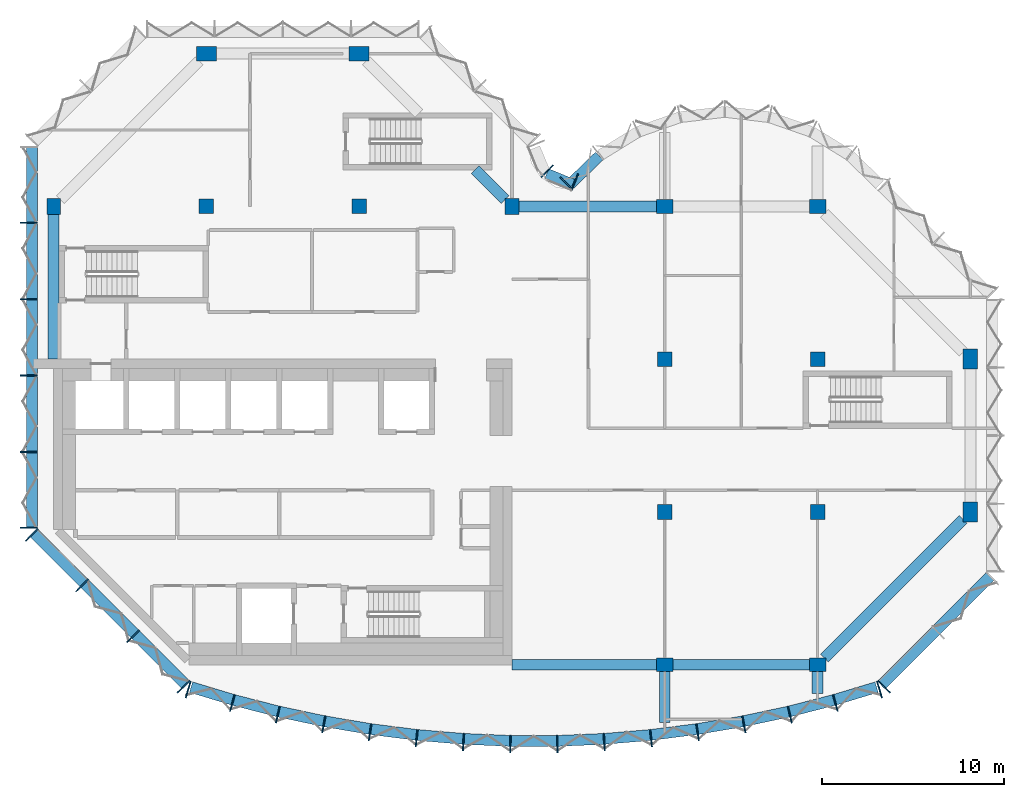
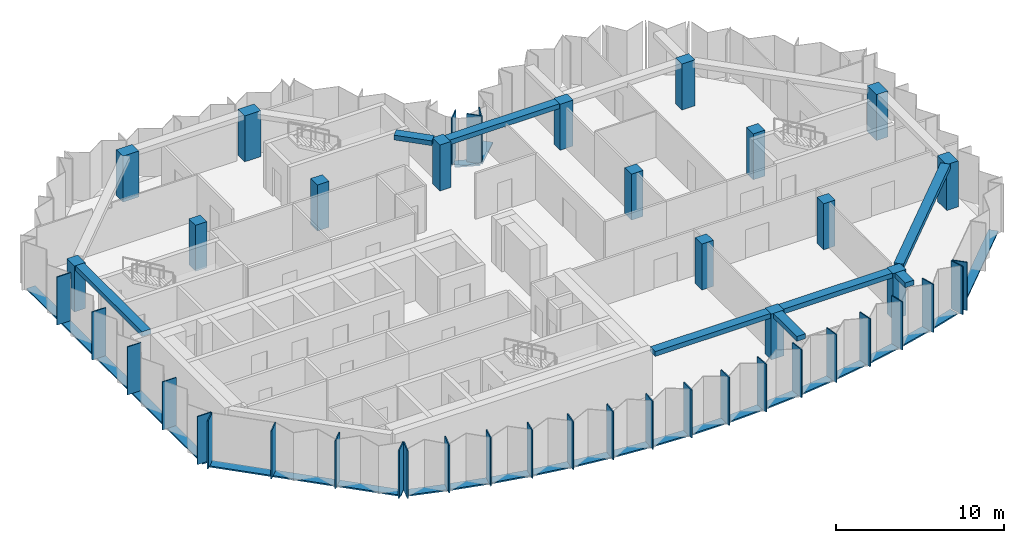
# One storey, part 1 of 10: 49 members, 16 columns, 8 beams, 6 elements without a shape of their own.
"""IFC4 building model written with IfcOpenShell, lengths in metres."""

from ifc_helpers import new_model, si_unit, direction, frame, origin, origin_2d, place, context, subcontext, project, spatial, rectangle, extrude, material, material_profile, profile_set, type_object, element, aggregate, save


model = new_model("IFC4")

# Units and contexts
model_context = context("Model", 3, precision=1e-05, world=origin(), true_north=direction((0.0, 1.0)))
body_context = subcontext(model_context, "Body", "Model", "MODEL_VIEW")
ifc_project = project(units=[si_unit("LENGTHUNIT", "METRE"), si_unit("AREAUNIT", "SQUARE_METRE"), si_unit("VOLUMEUNIT", "CUBIC_METRE"), si_unit("PLANEANGLEUNIT", "RADIAN"), si_unit("MASSUNIT", "GRAM", prefix="KILO")], contexts=[model_context])

# Site, building, storey
site_placement = place(None, origin())
site = spatial("IfcSite", under=ifc_project, at=site_placement, CompositionType="ELEMENT")
building_placement = place(site_placement, origin())
building = spatial("IfcBuilding", under=site, at=building_placement, Name="Brevane Broadcast Tower", CompositionType="ELEMENT")
storey_placement = place(building_placement, frame((0.0, 0.0, 237.300048828125)))
storey = spatial("IfcBuildingStorey", under=building, at=storey_placement, Name="L60", CompositionType="ELEMENT", Elevation=237.300048828125)

# Columns
ifc_material_1 = material(Name="Concrete C50/60", Category="concrete")
ifc_material_profile_1 = material_profile(ifc_material_1, rectangle(XDim=0.75, YDim=0.89990234375, at=origin_2d()), Name="RC 750x900")
ifc_profile_set_1 = profile_set([ifc_material_profile_1], Name="Concrete C50/60")
column_type_1 = type_object("IfcColumnType", Name="RC COLUMN EDGE 750x900 C50/60", PredefinedType="COLUMN", material=ifc_profile_set_1)
for number, where, z_axis, x_axis, name in (
    (1, (0.0, 25.199951171875, 0.0), (0.0, 0.0, 1.0), (1.0, 0.0, 0.0), "CE14 1/D"),
    (2, (25.199951171875, 25.199951171875, 0.0), (0.0, 0.0, 1.0), (1.0, 0.0, 0.0), "CE14 4/D"),
    (3, (33.60009765625, 0.0, 0.0), (0.0, 0.0, 1.0), (0.0, 1.0, 0.0), "CE14 5/A"),
    (4, (33.60009765625, 25.199951171875, 0.0), (0.0, 0.0, 1.0), (0.0, 1.0, 0.0), "CE14 5/D"),
    (5, (42.0, 0.0, 0.0), (0.0, 0.0, 1.0), (0.0, 1.0, 0.0), "CE14 6/A"),
    (6, (42.0, 25.199951171875, 0.0), (0.0, 0.0, 1.0), (0.0, 1.0, 0.0), "CE14 6/D"),
):
    element("IfcColumn", number, at=place(storey_placement, frame(where, z_axis=z_axis, x_axis=x_axis)), inside=storey, type_object=column_type_1, Name=name, PredefinedType="COLUMN", context=body_context, shape_type="SweptSolid", body=[
        extrude(rectangle(XDim=0.75, YDim=0.89990234375, at=origin_2d()), origin(), (0.0, 0.0, 1.0), 3.349853515625),
    ])
ifc_material_profile_2 = material_profile(ifc_material_1, rectangle(XDim=0.800048828125, YDim=0.800048828125, at=origin_2d()), Name="RC 800x800")
ifc_profile_set_2 = profile_set([ifc_material_profile_2], Name="Concrete C50/60")
column_type_2 = type_object("IfcColumnType", Name="RC COLUMN INTERIOR 800x800 C50/60", PredefinedType="COLUMN", material=ifc_profile_set_2)
for number, where, z_axis, x_axis, name in (
    (7, (8.39990234375, 25.199951171875, 0.0), (0.0, 0.0, 1.0), (1.0, 0.0, 0.0), "CI15 2/D"),
    (8, (16.800048828125, 25.199951171875, 0.0), (0.0, 0.0, 1.0), (1.0, 0.0, 0.0), "CI15 3/D"),
    (9, (33.60009765625, 8.39990234375, 0.0), (0.0, 0.0, 1.0), (1.0, 0.0, 0.0), "CI15 5/B"),
    (10, (33.60009765625, 16.800048828125, 0.0), (0.0, 0.0, 1.0), (1.0, 0.0, 0.0), "CI15 5/C"),
    (11, (42.0, 8.39990234375, 0.0), (0.0, 0.0, 1.0), (1.0, 0.0, 0.0), "CI15 6/B"),
    (12, (42.0, 16.800048828125, 0.0), (0.0, 0.0, 1.0), (1.0, 0.0, 0.0), "CI15 6/C"),
):
    element("IfcColumn", number, at=place(storey_placement, frame(where, z_axis=z_axis, x_axis=x_axis)), inside=storey, type_object=column_type_2, Name=name, PredefinedType="COLUMN", context=body_context, shape_type="SweptSolid", body=[
        extrude(rectangle(XDim=0.800048828125, YDim=0.800048828125, at=origin_2d()), origin(), (0.0, 0.0, 1.0), 3.349853515625),
    ])
ifc_material_profile_3 = material_profile(ifc_material_1, rectangle(XDim=0.800048828125, YDim=1.10009765625, at=origin_2d()), Name="RC 800x1100")
ifc_profile_set_3 = profile_set([ifc_material_profile_3], Name="Concrete C50/60")
column_type_3 = type_object("IfcColumnType", Name="RC COLUMN WING-END 800x1100 C50/60", PredefinedType="COLUMN", material=ifc_profile_set_3)
for number, where, z_axis, x_axis, name in (
    (13, (8.39990234375, 33.60009765625, 0.0), (0.0, 0.0, 1.0), (0.0, 1.0, 0.0), "CW16 2/E"),
    (14, (16.800048828125, 33.60009765625, 0.0), (0.0, 0.0, 1.0), (0.0, 1.0, 0.0), "CW16 3/E"),
    (15, (50.39990234375, 8.39990234375, 0.0), (0.0, 0.0, 1.0), (1.0, 0.0, 0.0), "CW16 7/B"),
    (16, (50.39990234375, 16.800048828125, 0.0), (0.0, 0.0, 1.0), (1.0, 0.0, 0.0), "CW16 7/C"),
):
    element("IfcColumn", number, at=place(storey_placement, frame(where, z_axis=z_axis, x_axis=x_axis)), inside=storey, type_object=column_type_3, Name=name, PredefinedType="COLUMN", context=body_context, shape_type="SweptSolid", body=[
        extrude(rectangle(XDim=0.800048828125, YDim=1.10009765625, at=origin_2d()), origin(), (0.0, 0.0, 1.0), 3.349853515625),
    ])

# Curtain wall, members
ifc_material_2 = material(Name="Aluminium 6063-T6 bronze anodised", Category="aluminium")
curtain_wall_type = type_object("IfcCurtainWallType", Name="CW-1 curtain wall", PredefinedType="NOTDEFINED", material=ifc_material_2)
curtain_wall_1_placement = place(storey_placement, origin())
curtain_wall_1 = element("IfcCurtainWall", 17, at=curtain_wall_1_placement, inside=storey, type_object=curtain_wall_type, Name="CW-1 typical tilted unit L60 south bow", PredefinedType="NOTDEFINED")
ifc_material_profile_4 = material_profile(ifc_material_2, rectangle(XDim=0.949951171875, YDim=0.070068359375, at=origin_2d()), Name="RECT 70x950")
ifc_profile_set_4 = profile_set([ifc_material_profile_4], Name="Aluminium 6063-T6 bronze anodised")
member_type_1 = type_object("IfcMemberType", Name="CW-1 mullion 70x950", PredefinedType="MULLION", material=ifc_profile_set_4)
member_1_placement = place(storey_placement, frame((7.396240234375, -1.36474609375, -0.150146484375), z_axis=(0.0, 0.0, 1.0), x_axis=(0.288968122518, 0.957338719664, 0.0)))
member_1 = element("IfcMember", 18, at=member_1_placement, type_object=member_type_1, Name="CW-1 mullion", PredefinedType="MULLION", context=body_context, shape_type="SweptSolid", body=[
    extrude(rectangle(XDim=0.949951171875, YDim=0.070068359375, at=origin_2d()), origin(), (0.0, 0.0, 1.0), 3.5),
])
member_2_placement = place(storey_placement, frame((9.824951171875, -2.097900390625, -0.150146484375), z_axis=(0.0, 0.0, 1.0), x_axis=(0.268915519935, 0.963163767559, 0.0)))
member_2 = element("IfcMember", 19, at=member_2_placement, type_object=member_type_1, Name="CW-1 mullion", PredefinedType="MULLION", context=body_context, shape_type="SweptSolid", body=[
    extrude(rectangle(XDim=0.949951171875, YDim=0.070068359375, at=origin_2d()), origin(), (0.0, 0.0, 1.0), 3.5),
])
member_3_placement = place(storey_placement, frame((12.325439453125, -2.739990234375, -0.150146484375), z_axis=(0.0, 0.0, 1.0), x_axis=(0.228467410001, 0.97355156133, 0.0)))
member_3 = element("IfcMember", 20, at=member_3_placement, type_object=member_type_1, Name="CW-1 mullion", PredefinedType="MULLION", context=body_context, shape_type="SweptSolid", body=[
    extrude(rectangle(XDim=0.949951171875, YDim=0.070068359375, at=origin_2d()), origin(), (0.0, 0.0, 1.0), 3.5),
])
member_4_placement = place(storey_placement, frame((14.8505859375, -3.277099609375, -0.150146484375), z_axis=(0.0, 0.0, 1.0), x_axis=(0.187620976959, 0.982241502384, 0.0)))
member_4 = element("IfcMember", 21, at=member_4_placement, type_object=member_type_1, Name="CW-1 mullion", PredefinedType="MULLION", context=body_context, shape_type="SweptSolid", body=[
    extrude(rectangle(XDim=0.949951171875, YDim=0.070068359375, at=origin_2d()), origin(), (0.0, 0.0, 1.0), 3.5),
])
member_5_placement = place(storey_placement, frame((17.395751953125, -3.70849609375, -0.150146484375), z_axis=(0.0, 0.0, 1.0), x_axis=(0.146447392256, 0.989218459847, 0.0)))
member_5 = element("IfcMember", 22, at=member_5_placement, type_object=member_type_1, Name="CW-1 mullion", PredefinedType="MULLION", context=body_context, shape_type="SweptSolid", body=[
    extrude(rectangle(XDim=0.949951171875, YDim=0.070068359375, at=origin_2d()), origin(), (0.0, 0.0, 1.0), 3.5),
])
member_6_placement = place(storey_placement, frame((19.95703125, -4.033203125, -0.150146484375), z_axis=(0.0, 0.0, 1.0), x_axis=(0.105018395305, 0.994470279419, 0.0)))
member_6 = element("IfcMember", 23, at=member_6_placement, type_object=member_type_1, Name="CW-1 mullion", PredefinedType="MULLION", context=body_context, shape_type="SweptSolid", body=[
    extrude(rectangle(XDim=0.949951171875, YDim=0.070068359375, at=origin_2d()), origin(), (0.0, 0.0, 1.0), 3.5),
])
member_7_placement = place(storey_placement, frame((22.529296875, -4.250732421875, -0.150146484375), z_axis=(0.0, 0.0, 1.0), x_axis=(0.063406169479, 0.99798780437, 0.0)))
member_7 = element("IfcMember", 24, at=member_7_placement, type_object=member_type_1, Name="CW-1 mullion", PredefinedType="MULLION", context=body_context, shape_type="SweptSolid", body=[
    extrude(rectangle(XDim=0.949951171875, YDim=0.070068359375, at=origin_2d()), origin(), (0.0, 0.0, 1.0), 3.5),
])
member_8_placement = place(storey_placement, frame((25.10888671875, -4.360595703125, -0.150146484375), z_axis=(0.0, 0.0, 1.0), x_axis=(0.021281828243, 0.999773516246, 0.0)))
member_8 = element("IfcMember", 25, at=member_8_placement, type_object=member_type_1, Name="CW-1 mullion", PredefinedType="MULLION", context=body_context, shape_type="SweptSolid", body=[
    extrude(rectangle(XDim=0.949951171875, YDim=0.070068359375, at=origin_2d()), origin(), (0.0, 0.0, 1.0), 3.5),
])
member_9_placement = place(storey_placement, frame((27.691162109375, -4.360595703125, -0.150146484375), z_axis=(0.0, 0.0, 1.0), x_axis=(-0.021281828243, 0.999773516246, 0.0)))
member_9 = element("IfcMember", 26, at=member_9_placement, type_object=member_type_1, Name="CW-1 mullion", PredefinedType="MULLION", context=body_context, shape_type="SweptSolid", body=[
    extrude(rectangle(XDim=0.949951171875, YDim=0.070068359375, at=origin_2d()), origin(), (0.0, 0.0, 1.0), 3.5),
])
member_10_placement = place(storey_placement, frame((30.2705078125, -4.250732421875, -0.150146484375), z_axis=(0.0, 0.0, 1.0), x_axis=(-0.063406169479, 0.99798780437, 0.0)))
member_10 = element("IfcMember", 27, at=member_10_placement, type_object=member_type_1, Name="CW-1 mullion", PredefinedType="MULLION", context=body_context, shape_type="SweptSolid", body=[
    extrude(rectangle(XDim=0.949951171875, YDim=0.070068359375, at=origin_2d()), origin(), (0.0, 0.0, 1.0), 3.5),
])
member_11_placement = place(storey_placement, frame((32.843017578125, -4.033203125, -0.150146484375), z_axis=(0.0, 0.0, 1.0), x_axis=(-0.105018395305, 0.994470279419, 0.0)))
member_11 = element("IfcMember", 28, at=member_11_placement, type_object=member_type_1, Name="CW-1 mullion", PredefinedType="MULLION", context=body_context, shape_type="SweptSolid", body=[
    extrude(rectangle(XDim=0.949951171875, YDim=0.070068359375, at=origin_2d()), origin(), (0.0, 0.0, 1.0), 3.5),
])
member_12_placement = place(storey_placement, frame((35.404296875, -3.70849609375, -0.150146484375), z_axis=(0.0, 0.0, 1.0), x_axis=(-0.146447392256, 0.989218459847, 0.0)))
member_12 = element("IfcMember", 29, at=member_12_placement, type_object=member_type_1, Name="CW-1 mullion", PredefinedType="MULLION", context=body_context, shape_type="SweptSolid", body=[
    extrude(rectangle(XDim=0.949951171875, YDim=0.070068359375, at=origin_2d()), origin(), (0.0, 0.0, 1.0), 3.5),
])
member_13_placement = place(storey_placement, frame((37.949462890625, -3.277099609375, -0.150146484375), z_axis=(0.0, 0.0, 1.0), x_axis=(-0.187620976959, 0.982241502384, 0.0)))
member_13 = element("IfcMember", 30, at=member_13_placement, type_object=member_type_1, Name="CW-1 mullion", PredefinedType="MULLION", context=body_context, shape_type="SweptSolid", body=[
    extrude(rectangle(XDim=0.949951171875, YDim=0.070068359375, at=origin_2d()), origin(), (0.0, 0.0, 1.0), 3.5),
])
member_14_placement = place(storey_placement, frame((40.474609375, -2.739990234375, -0.150146484375), z_axis=(0.0, 0.0, 1.0), x_axis=(-0.228467410001, 0.97355156133, 0.0)))
member_14 = element("IfcMember", 31, at=member_14_placement, type_object=member_type_1, Name="CW-1 mullion", PredefinedType="MULLION", context=body_context, shape_type="SweptSolid", body=[
    extrude(rectangle(XDim=0.949951171875, YDim=0.070068359375, at=origin_2d()), origin(), (0.0, 0.0, 1.0), 3.5),
])
member_15_placement = place(storey_placement, frame((42.97509765625, -2.097900390625, -0.150146484375), z_axis=(0.0, 0.0, 1.0), x_axis=(-0.268915519935, 0.963163767559, 0.0)))
member_15 = element("IfcMember", 32, at=member_15_placement, type_object=member_type_1, Name="CW-1 mullion", PredefinedType="MULLION", context=body_context, shape_type="SweptSolid", body=[
    extrude(rectangle(XDim=0.949951171875, YDim=0.070068359375, at=origin_2d()), origin(), (0.0, 0.0, 1.0), 3.5),
])
member_16_placement = place(storey_placement, frame((45.40380859375, -1.36474609375, -0.150146484375), z_axis=(0.0, 0.0, 1.0), x_axis=(-0.288968122518, 0.957338719664, 0.0)))
member_16 = element("IfcMember", 33, at=member_16_placement, type_object=member_type_1, Name="CW-1 mullion", PredefinedType="MULLION", context=body_context, shape_type="SweptSolid", body=[
    extrude(rectangle(XDim=0.949951171875, YDim=0.070068359375, at=origin_2d()), origin(), (0.0, 0.0, 1.0), 3.5),
])

# Curtain wall, member
curtain_wall_2_placement = place(storey_placement, origin())
curtain_wall_2 = element("IfcCurtainWall", 34, at=curtain_wall_2_placement, inside=storey, type_object=curtain_wall_type, Name="CW-1 typical tilted unit L60 south-east chamfer", PredefinedType="NOTDEFINED")
member_17_placement = place(storey_placement, frame((45.66064453125, -1.211181640625, -0.150146484375), z_axis=(0.0, 0.0, 1.0), x_axis=(-0.707106781187, 0.707106781187, 0.0)))
member_17 = element("IfcMember", 35, at=member_17_placement, type_object=member_type_1, Name="CW-1 mullion", PredefinedType="MULLION", context=body_context, shape_type="SweptSolid", body=[
    extrude(rectangle(XDim=0.949951171875, YDim=0.070068359375, at=origin_2d()), origin(), (0.0, 0.0, 1.0), 3.5),
])

curtain_wall_3_placement = place(storey_placement, origin())
curtain_wall_3 = element("IfcCurtainWall", 36, at=curtain_wall_3_placement, inside=storey, type_object=curtain_wall_type, Name="CW-1 typical tilted unit L60 east bow", PredefinedType="NOTDEFINED")
member_18_placement = place(storey_placement, frame((28.194091796875, 26.465087890625, -0.150146484375), z_axis=(0.0, 0.0, 1.0), x_axis=(0.696812089895, -0.717253728729, 0.0)))
member_18 = element("IfcMember", 37, at=member_18_placement, type_object=member_type_1, Name="CW-1 mullion", PredefinedType="MULLION", context=body_context, shape_type="SweptSolid", body=[
    extrude(rectangle(XDim=0.949951171875, YDim=0.070068359375, at=origin_2d()), origin(), (0.0, 0.0, 1.0), 3.5),
])

# Curtain wall, members
curtain_wall_4_placement = place(storey_placement, origin())
curtain_wall_4 = element("IfcCurtainWall", 38, at=curtain_wall_4_placement, inside=storey, type_object=curtain_wall_type, Name="CW-1 typical tilted unit L60 inner corner", PredefinedType="NOTDEFINED")
member_19_placement = place(storey_placement, frame((28.6494140625, 26.55224609375, -0.150146484375), z_axis=(0.0, 0.0, 1.0), x_axis=(-0.382683432365, -0.923879532511, 0.0)))
member_19 = element("IfcMember", 39, at=member_19_placement, type_object=member_type_1, Name="CW-1 mullion", PredefinedType="MULLION", context=body_context, shape_type="SweptSolid", body=[
    extrude(rectangle(XDim=0.949951171875, YDim=0.070068359375, at=origin_2d()), origin(), (0.0, 0.0, 1.0), 3.5),
])
member_20_placement = place(storey_placement, frame((27.138916015625, 27.138916015625, -0.150146484375), z_axis=(0.0, 0.0, 1.0), x_axis=(-0.707106781187, -0.707106781187, 0.0)))
member_20 = element("IfcMember", 40, at=member_20_placement, type_object=member_type_1, Name="CW-1 mullion", PredefinedType="MULLION", context=body_context, shape_type="SweptSolid", body=[
    extrude(rectangle(XDim=0.949951171875, YDim=0.070068359375, at=origin_2d()), origin(), (0.0, 0.0, 1.0), 3.5),
])

curtain_wall_5_placement = place(storey_placement, origin())
curtain_wall_5 = element("IfcCurtainWall", 41, at=curtain_wall_5_placement, inside=storey, type_object=curtain_wall_type, Name="CW-1 typical tilted unit L60 west face", PredefinedType="NOTDEFINED")
member_21_placement = place(storey_placement, frame((-1.375, 24.300048828125, -0.150146484375), z_axis=(0.0, 0.0, 1.0), x_axis=(1.0, 0.0, 0.0)))
member_21 = element("IfcMember", 42, at=member_21_placement, type_object=member_type_1, Name="CW-1 mullion", PredefinedType="MULLION", context=body_context, shape_type="SweptSolid", body=[
    extrude(rectangle(XDim=0.949951171875, YDim=0.070068359375, at=origin_2d()), origin(), (0.0, 0.0, 1.0), 3.5),
])
member_22_placement = place(storey_placement, frame((-1.375, 20.10009765625, -0.150146484375), z_axis=(0.0, 0.0, 1.0), x_axis=(1.0, 0.0, 0.0)))
member_22 = element("IfcMember", 43, at=member_22_placement, type_object=member_type_1, Name="CW-1 mullion", PredefinedType="MULLION", context=body_context, shape_type="SweptSolid", body=[
    extrude(rectangle(XDim=0.949951171875, YDim=0.070068359375, at=origin_2d()), origin(), (0.0, 0.0, 1.0), 3.5),
])
member_23_placement = place(storey_placement, frame((-1.375, 15.89990234375, -0.150146484375), z_axis=(0.0, 0.0, 1.0), x_axis=(1.0, 0.0, 0.0)))
member_23 = element("IfcMember", 44, at=member_23_placement, type_object=member_type_1, Name="CW-1 mullion", PredefinedType="MULLION", context=body_context, shape_type="SweptSolid", body=[
    extrude(rectangle(XDim=0.949951171875, YDim=0.070068359375, at=origin_2d()), origin(), (0.0, 0.0, 1.0), 3.5),
])
member_24_placement = place(storey_placement, frame((-1.375, 11.699951171875, -0.150146484375), z_axis=(0.0, 0.0, 1.0), x_axis=(1.0, 0.0, 0.0)))
member_24 = element("IfcMember", 45, at=member_24_placement, type_object=member_type_1, Name="CW-1 mullion", PredefinedType="MULLION", context=body_context, shape_type="SweptSolid", body=[
    extrude(rectangle(XDim=0.949951171875, YDim=0.070068359375, at=origin_2d()), origin(), (0.0, 0.0, 1.0), 3.5),
])
member_25_placement = place(storey_placement, frame((-1.375, 7.534912109375, -0.150146484375), z_axis=(0.0, 0.0, 1.0), x_axis=(1.0, 0.0, 0.0)))
member_25 = element("IfcMember", 46, at=member_25_placement, type_object=member_type_1, Name="CW-1 mullion", PredefinedType="MULLION", context=body_context, shape_type="SweptSolid", body=[
    extrude(rectangle(XDim=0.949951171875, YDim=0.070068359375, at=origin_2d()), origin(), (0.0, 0.0, 1.0), 3.5),
])

curtain_wall_6_placement = place(storey_placement, origin())
curtain_wall_6 = element("IfcCurtainWall", 47, at=curtain_wall_6_placement, inside=storey, type_object=curtain_wall_type, Name="CW-1 typical tilted unit L60 south-west chamfer", PredefinedType="NOTDEFINED")
member_26_placement = place(storey_placement, frame((-1.211181640625, 7.139404296875, -0.150146484375), z_axis=(0.0, 0.0, 1.0), x_axis=(0.707106781187, 0.707106781187, 0.0)))
member_26 = element("IfcMember", 48, at=member_26_placement, type_object=member_type_1, Name="CW-1 mullion", PredefinedType="MULLION", context=body_context, shape_type="SweptSolid", body=[
    extrude(rectangle(XDim=0.949951171875, YDim=0.070068359375, at=origin_2d()), origin(), (0.0, 0.0, 1.0), 3.5),
])
member_27_placement = place(storey_placement, frame((1.564208984375, 4.364013671875, -0.150146484375), z_axis=(0.0, 0.0, 1.0), x_axis=(0.707106781187, 0.707106781187, 0.0)))
member_27 = element("IfcMember", 49, at=member_27_placement, type_object=member_type_1, Name="CW-1 mullion", PredefinedType="MULLION", context=body_context, shape_type="SweptSolid", body=[
    extrude(rectangle(XDim=0.949951171875, YDim=0.070068359375, at=origin_2d()), origin(), (0.0, 0.0, 1.0), 3.5),
])
member_28_placement = place(storey_placement, frame((4.364013671875, 1.564208984375, -0.150146484375), z_axis=(0.0, 0.0, 1.0), x_axis=(0.707106781187, 0.707106781187, 0.0)))
member_28 = element("IfcMember", 50, at=member_28_placement, type_object=member_type_1, Name="CW-1 mullion", PredefinedType="MULLION", context=body_context, shape_type="SweptSolid", body=[
    extrude(rectangle(XDim=0.949951171875, YDim=0.070068359375, at=origin_2d()), origin(), (0.0, 0.0, 1.0), 3.5),
])
member_29_placement = place(storey_placement, frame((7.139404296875, -1.211181640625, -0.150146484375), z_axis=(0.0, 0.0, 1.0), x_axis=(0.707106781187, 0.707106781187, 0.0)))
member_29 = element("IfcMember", 51, at=member_29_placement, type_object=member_type_1, Name="CW-1 mullion", PredefinedType="MULLION", context=body_context, shape_type="SweptSolid", body=[
    extrude(rectangle(XDim=0.949951171875, YDim=0.070068359375, at=origin_2d()), origin(), (0.0, 0.0, 1.0), 3.5),
])

# Member
ifc_material_profile_5 = material_profile(ifc_material_2, rectangle(XDim=0.60009765625, YDim=0.10009765625, at=origin_2d()), Name="RECT 100x600")
ifc_profile_set_5 = profile_set([ifc_material_profile_5], Name="Aluminium 6063-T6 bronze anodised")
member_type_2 = type_object("IfcMemberType", Name="CW-1 transom 100x600", PredefinedType="USERDEFINED", material=ifc_profile_set_5)
member_30_placement = place(storey_placement, frame((7.553955078125, -1.229736328125, -0.199951171875), z_axis=(0.957362578524, -0.288889067362, 0.0), x_axis=(0.288889067362, 0.957362578524, 0.0)))
member_30 = element("IfcMember", 52, at=member_30_placement, type_object=member_type_2, Name="CW-1 transom", ObjectType="TRANSOM", PredefinedType="USERDEFINED", context=body_context, shape_type="SweptSolid", body=[
    extrude(rectangle(XDim=0.60009765625, YDim=0.10009765625, at=origin_2d()), origin(), (0.0, 0.0, 1.0), 2.411865234375),
])

member_31_placement = place(storey_placement, frame((9.8759765625, -1.930419921875, -0.199951171875), z_axis=(0.968569727699, -0.248742201052, 0.0), x_axis=(0.248742201052, 0.968569727699, 0.0)))
member_31 = element("IfcMember", 53, at=member_31_placement, type_object=member_type_2, Name="CW-1 transom", ObjectType="TRANSOM", PredefinedType="USERDEFINED", context=body_context, shape_type="SweptSolid", body=[
    extrude(rectangle(XDim=0.60009765625, YDim=0.10009765625, at=origin_2d()), origin(), (0.0, 0.0, 1.0), 2.561767578125),
])

member_32_placement = place(storey_placement, frame((12.370361328125, -2.57080078125, -0.199951171875), z_axis=(0.978117897278, -0.208051385536, 0.0), x_axis=(0.208051385536, 0.978117897278, 0.0)))
member_32 = element("IfcMember", 54, at=member_32_placement, type_object=member_type_2, Name="CW-1 transom", ObjectType="TRANSOM", PredefinedType="USERDEFINED", context=body_context, shape_type="SweptSolid", body=[
    extrude(rectangle(XDim=0.60009765625, YDim=0.10009765625, at=origin_2d()), origin(), (0.0, 0.0, 1.0), 2.561767578125),
])

member_33_placement = place(storey_placement, frame((14.88916015625, -3.1064453125, -0.199951171875), z_axis=(0.985947338221, -0.167056416383, 0.0), x_axis=(0.167056416383, 0.985947338221, 0.0)))
member_33 = element("IfcMember", 55, at=member_33_placement, type_object=member_type_2, Name="CW-1 transom", ObjectType="TRANSOM", PredefinedType="USERDEFINED", context=body_context, shape_type="SweptSolid", body=[
    extrude(rectangle(XDim=0.60009765625, YDim=0.10009765625, at=origin_2d()), origin(), (0.0, 0.0, 1.0), 2.561767578125),
])

member_34_placement = place(storey_placement, frame((17.428466796875, -3.536376953125, -0.199951171875), z_axis=(0.99206678005, -0.12571198798, 0.0), x_axis=(0.12571198798, 0.99206678005, 0.0)))
member_34 = element("IfcMember", 56, at=member_34_placement, type_object=member_type_2, Name="CW-1 transom", ObjectType="TRANSOM", PredefinedType="USERDEFINED", context=body_context, shape_type="SweptSolid", body=[
    extrude(rectangle(XDim=0.60009765625, YDim=0.10009765625, at=origin_2d()), origin(), (0.0, 0.0, 1.0), 2.5615234375),
])

member_35_placement = place(storey_placement, frame((19.983154296875, -3.85986328125, -0.199951171875), z_axis=(0.99644513768, -0.084244214012, 0.0), x_axis=(0.084244214012, 0.99644513768, 0.0)))
member_35 = element("IfcMember", 57, at=member_35_placement, type_object=member_type_2, Name="CW-1 transom", ObjectType="TRANSOM", PredefinedType="USERDEFINED", context=body_context, shape_type="SweptSolid", body=[
    extrude(rectangle(XDim=0.60009765625, YDim=0.10009765625, at=origin_2d()), origin(), (0.0, 0.0, 1.0), 2.561767578125),
])

member_36_placement = place(storey_placement, frame((22.54931640625, -4.076416015625, -0.199951171875), z_axis=(0.999092306129, -0.042597697524, 0.0), x_axis=(0.042597697524, 0.999092306129, 0.0)))
member_36 = element("IfcMember", 58, at=member_36_placement, type_object=member_type_2, Name="CW-1 transom", ObjectType="TRANSOM", PredefinedType="USERDEFINED", context=body_context, shape_type="SweptSolid", body=[
    extrude(rectangle(XDim=0.60009765625, YDim=0.10009765625, at=origin_2d()), origin(), (0.0, 0.0, 1.0), 2.56201171875),
])

member_37_placement = place(storey_placement, frame((25.122314453125, -4.185546875, -0.199951171875), z_axis=(1.0, 0.0, 0.0), x_axis=(0.0, 1.0, 0.0)))
member_37 = element("IfcMember", 59, at=member_37_placement, type_object=member_type_2, Name="CW-1 transom", ObjectType="TRANSOM", PredefinedType="USERDEFINED", context=body_context, shape_type="SweptSolid", body=[
    extrude(rectangle(XDim=0.60009765625, YDim=0.10009765625, at=origin_2d()), origin(), (0.0, 0.0, 1.0), 2.56201171875),
])

member_38_placement = place(storey_placement, frame((27.691162109375, -4.185546875, -0.199951171875), z_axis=(0.999092133182, 0.042601753652, 0.0), x_axis=(-0.042601753652, 0.999092133182, 0.0)))
member_38 = element("IfcMember", 60, at=member_38_placement, type_object=member_type_2, Name="CW-1 transom", ObjectType="TRANSOM", PredefinedType="USERDEFINED", context=body_context, shape_type="SweptSolid", body=[
    extrude(rectangle(XDim=0.60009765625, YDim=0.10009765625, at=origin_2d()), origin(), (0.0, 0.0, 1.0), 2.561767578125),
])

member_39_placement = place(storey_placement, frame((30.26416015625, -4.07568359375, -0.199951171875), z_axis=(0.99644513768, 0.084244214012, 0.0), x_axis=(-0.084244214012, 0.99644513768, 0.0)))
member_39 = element("IfcMember", 61, at=member_39_placement, type_object=member_type_2, Name="CW-1 transom", ObjectType="TRANSOM", PredefinedType="USERDEFINED", context=body_context, shape_type="SweptSolid", body=[
    extrude(rectangle(XDim=0.60009765625, YDim=0.10009765625, at=origin_2d()), origin(), (0.0, 0.0, 1.0), 2.561767578125),
])

member_40_placement = place(storey_placement, frame((32.830322265625, -3.8583984375, -0.199951171875), z_axis=(0.99206678005, 0.12571198798, 0.0), x_axis=(-0.12571198798, 0.99206678005, 0.0)))
member_40 = element("IfcMember", 62, at=member_40_placement, type_object=member_type_2, Name="CW-1 transom", ObjectType="TRANSOM", PredefinedType="USERDEFINED", context=body_context, shape_type="SweptSolid", body=[
    extrude(rectangle(XDim=0.60009765625, YDim=0.10009765625, at=origin_2d()), origin(), (0.0, 0.0, 1.0), 2.5615234375),
])

member_41_placement = place(storey_placement, frame((35.385009765625, -3.534423828125, -0.199951171875), z_axis=(0.9859446783, 0.167072114167, 0.0), x_axis=(-0.167072114167, 0.9859446783, 0.0)))
member_41 = element("IfcMember", 63, at=member_41_placement, type_object=member_type_2, Name="CW-1 transom", ObjectType="TRANSOM", PredefinedType="USERDEFINED", context=body_context, shape_type="SweptSolid", body=[
    extrude(rectangle(XDim=0.60009765625, YDim=0.10009765625, at=origin_2d()), origin(), (0.0, 0.0, 1.0), 2.5615234375),
])

member_42_placement = place(storey_placement, frame((37.924072265625, -3.103759765625, -0.199951171875), z_axis=(0.978117897278, 0.208051385536, 0.0), x_axis=(-0.208051385536, 0.978117897278, 0.0)))
member_42 = element("IfcMember", 64, at=member_42_placement, type_object=member_type_2, Name="CW-1 transom", ObjectType="TRANSOM", PredefinedType="USERDEFINED", context=body_context, shape_type="SweptSolid", body=[
    extrude(rectangle(XDim=0.60009765625, YDim=0.10009765625, at=origin_2d()), origin(), (0.0, 0.0, 1.0), 2.561767578125),
])

member_43_placement = place(storey_placement, frame((40.44287109375, -2.567626953125, -0.199951171875), z_axis=(0.968569727699, 0.248742201052, 0.0), x_axis=(-0.248742201052, 0.968569727699, 0.0)))
member_43 = element("IfcMember", 65, at=member_43_placement, type_object=member_type_2, Name="CW-1 transom", ObjectType="TRANSOM", PredefinedType="USERDEFINED", context=body_context, shape_type="SweptSolid", body=[
    extrude(rectangle(XDim=0.60009765625, YDim=0.10009765625, at=origin_2d()), origin(), (0.0, 0.0, 1.0), 2.561767578125),
])

member_44_placement = place(storey_placement, frame((42.93701171875, -1.926513671875, -0.199951171875), z_axis=(0.957362578524, 0.288889067362, 0.0), x_axis=(-0.288889067362, 0.957362578524, 0.0)))
member_44 = element("IfcMember", 66, at=member_44_placement, type_object=member_type_2, Name="CW-1 transom", ObjectType="TRANSOM", PredefinedType="USERDEFINED", context=body_context, shape_type="SweptSolid", body=[
    extrude(rectangle(XDim=0.60009765625, YDim=0.10009765625, at=origin_2d()), origin(), (0.0, 0.0, 1.0), 2.411865234375),
])

aggregate(curtain_wall_1, [member_1, member_2, member_3, member_4, member_5, member_6, member_7, member_8, member_9, member_10, member_11, member_12, member_13, member_14, member_15, member_16, member_30, member_31, member_32, member_33, member_34, member_35, member_36, member_37, member_38, member_39, member_40, member_41, member_42, member_43, member_44])

member_45_placement = place(storey_placement, frame((45.51220703125, -1.112060546875, -0.199951171875), z_axis=(0.707106781187, 0.707106781187, 0.0), x_axis=(-0.707106781187, 0.707106781187, 0.0)))
member_45 = element("IfcMember", 67, at=member_45_placement, type_object=member_type_2, Name="CW-1 transom", ObjectType="TRANSOM", PredefinedType="USERDEFINED", context=body_context, shape_type="SweptSolid", body=[
    extrude(rectangle(XDim=0.60009765625, YDim=0.10009765625, at=origin_2d()), origin(), (0.0, 0.0, 1.0), 8.4853515625),
])

aggregate(curtain_wall_2, [member_17, member_45])

member_46_placement = place(storey_placement, frame((29.99951171875, 27.974365234375, -0.199951171875), z_axis=(-0.71724215871, -0.696823999134, 0.0), x_axis=(0.696823999134, -0.71724215871, 0.0)))
member_46 = element("IfcMember", 68, at=member_46_placement, type_object=member_type_2, Name="CW-1 transom", ObjectType="TRANSOM", PredefinedType="USERDEFINED", context=body_context, shape_type="SweptSolid", body=[
    extrude(rectangle(XDim=0.60009765625, YDim=0.10009765625, at=origin_2d()), origin(), (0.0, 0.0, 1.0), 2.247802734375),
])

aggregate(curtain_wall_3, [member_18, member_46])

member_47_placement = place(storey_placement, frame((28.528076171875, 26.40673828125, -0.199951171875), z_axis=(-0.923883243627, 0.382674472816, 0.0), x_axis=(-0.382674472816, -0.923883243627, 0.0)))
member_47 = element("IfcMember", 69, at=member_47_placement, type_object=member_type_2, Name="CW-1 transom", ObjectType="TRANSOM", PredefinedType="USERDEFINED", context=body_context, shape_type="SweptSolid", body=[
    extrude(rectangle(XDim=0.60009765625, YDim=0.10009765625, at=origin_2d()), origin(), (0.0, 0.0, 1.0), 1.536865234375),
])

aggregate(curtain_wall_4, [member_19, member_20, member_47])

member_48_placement = place(storey_placement, frame((-1.199951171875, 28.5, -0.199951171875), z_axis=(0.0, -1.0, 0.0), x_axis=(1.0, 0.0, 0.0)))
member_48 = element("IfcMember", 70, at=member_48_placement, type_object=member_type_2, Name="CW-1 transom", ObjectType="TRANSOM", PredefinedType="USERDEFINED", context=body_context, shape_type="SweptSolid", body=[
    extrude(rectangle(XDim=0.60009765625, YDim=0.10009765625, at=origin_2d()), origin(), (0.0, 0.0, 1.0), 21.0),
])

aggregate(curtain_wall_5, [member_21, member_22, member_23, member_24, member_25, member_48])

member_49_placement = place(storey_placement, frame((-1.112060546875, 7.287841796875, -0.199951171875), z_axis=(0.707106781187, -0.707106781187, 0.0), x_axis=(0.707106781187, 0.707106781187, 0.0)))
member_49 = element("IfcMember", 71, at=member_49_placement, type_object=member_type_2, Name="CW-1 transom", ObjectType="TRANSOM", PredefinedType="USERDEFINED", context=body_context, shape_type="SweptSolid", body=[
    extrude(rectangle(XDim=0.60009765625, YDim=0.10009765625, at=origin_2d()), origin(), (0.0, 0.0, 1.0), 11.879150390625),
])

aggregate(curtain_wall_6, [member_26, member_27, member_28, member_29, member_49])

# Beams
ifc_material_3 = material(Name="Concrete C40/50", Category="concrete")
ifc_material_profile_6 = material_profile(ifc_material_3, rectangle(XDim=0.60009765625, YDim=0.35009765625, at=origin_2d()), Name="RC 600x350")
ifc_profile_set_6 = profile_set([ifc_material_profile_6], Name="Concrete C40/50")
beam_type_1 = type_object("IfcBeamType", Name="RC BRACKET BEAM 600x350 C40/50", PredefinedType="BEAM", material=ifc_profile_set_6)
beam_1_placement = place(storey_placement, frame((33.60009765625, -0.375, 3.175048828125), z_axis=(0.0, -1.0, 0.0), x_axis=(1.0, 0.0, 0.0)))
element("IfcBeam", 72, at=beam_1_placement, inside=storey, type_object=beam_type_1, Name="EB2 L60-1", PredefinedType="BEAM", context=body_context, shape_type="SweptSolid", body=[
    extrude(rectangle(XDim=0.60009765625, YDim=0.35009765625, at=origin_2d()), origin(), (0.0, 0.0, 1.0), 2.7958984375),
])
beam_2_placement = place(storey_placement, frame((42.0, -0.375, 3.175048828125), z_axis=(0.0, -1.0, 0.0), x_axis=(1.0, 0.0, 0.0)))
element("IfcBeam", 73, at=beam_2_placement, inside=storey, type_object=beam_type_1, Name="EB2 L60-3", PredefinedType="BEAM", context=body_context, shape_type="SweptSolid", body=[
    extrude(rectangle(XDim=0.60009765625, YDim=0.35009765625, at=origin_2d()), origin(), (0.0, 0.0, 1.0), 1.19384765625),
])
ifc_material_profile_7 = material_profile(ifc_material_3, rectangle(XDim=0.60009765625, YDim=0.35009765625, at=origin_2d()), Name="RC 600x350")
ifc_profile_set_7 = profile_set([ifc_material_profile_7], Name="Concrete C40/50")
beam_type_2 = type_object("IfcBeamType", Name="RC SPANDREL BEAM 600x350 C40/50", PredefinedType="SPANDREL", material=ifc_profile_set_7)
beam_3_placement = place(storey_placement, frame((25.199951171875, 0.0, 3.175048828125), z_axis=(1.0, 0.0, 0.0), x_axis=(0.0, 1.0, 0.0)))
element("IfcBeam", 74, at=beam_3_placement, inside=storey, type_object=beam_type_2, Name="EB1 L60-1", PredefinedType="SPANDREL", context=body_context, shape_type="SweptSolid", body=[
    extrude(rectangle(XDim=0.60009765625, YDim=0.35009765625, at=origin_2d()), origin(), (0.0, 0.0, 1.0), 7.949951171875),
])
beam_4_placement = place(storey_placement, frame((34.050048828125, 0.0, 3.175048828125), z_axis=(1.0, 0.0, 0.0), x_axis=(0.0, 1.0, 0.0)))
element("IfcBeam", 75, at=beam_4_placement, inside=storey, type_object=beam_type_2, Name="EB1 L60-2", PredefinedType="SPANDREL", context=body_context, shape_type="SweptSolid", body=[
    extrude(rectangle(XDim=0.60009765625, YDim=0.35009765625, at=origin_2d()), origin(), (0.0, 0.0, 1.0), 7.5),
])
beam_5_placement = place(storey_placement, frame((42.375, 0.375, 3.175048828125), z_axis=(0.707106781187, 0.707106781187, 0.0), x_axis=(-0.707106781187, 0.707106781187, 0.0)))
element("IfcBeam", 76, at=beam_5_placement, inside=storey, type_object=beam_type_2, Name="EB1 L60-3", PredefinedType="SPANDREL", context=body_context, shape_type="SweptSolid", body=[
    extrude(rectangle(XDim=0.60009765625, YDim=0.35009765625, at=origin_2d()), origin(), (0.0, 0.0, 1.0), 10.783447265625),
])
beam_6_placement = place(storey_placement, frame((33.14990234375, 25.199951171875, 3.175048828125), z_axis=(-1.0, 0.0, 0.0), x_axis=(0.0, -1.0, 0.0)))
element("IfcBeam", 77, at=beam_6_placement, inside=storey, type_object=beam_type_2, Name="EB1 L60-7", PredefinedType="SPANDREL", context=body_context, shape_type="SweptSolid", body=[
    extrude(rectangle(XDim=0.60009765625, YDim=0.35009765625, at=origin_2d()), origin(), (0.0, 0.0, 1.0), 7.574951171875),
])
beam_7_placement = place(storey_placement, frame((24.824951171875, 25.574951171875, 3.175048828125), z_axis=(-0.707106781187, 0.707106781187, 0.0), x_axis=(-0.707106781187, -0.707106781187, 0.0)))
element("IfcBeam", 78, at=beam_7_placement, inside=storey, type_object=beam_type_2, Name="EB1 L60-8", PredefinedType="SPANDREL", context=body_context, shape_type="SweptSolid", body=[
    extrude(rectangle(XDim=0.60009765625, YDim=0.35009765625, at=origin_2d()), origin(), (0.0, 0.0, 1.0), 2.340576171875),
])
beam_8_placement = place(storey_placement, frame((0.0, 24.75, 3.175048828125), z_axis=(0.0, -1.0, 0.0), x_axis=(1.0, 0.0, 0.0)))
element("IfcBeam", 79, at=beam_8_placement, inside=storey, type_object=beam_type_2, Name="EB1 L60-11", PredefinedType="SPANDREL", context=body_context, shape_type="SweptSolid", body=[
    extrude(rectangle(XDim=0.60009765625, YDim=0.35009765625, at=origin_2d()), origin(), (0.0, 0.0, 1.0), 7.949951171875),
])

save(model, "model.ifc")
